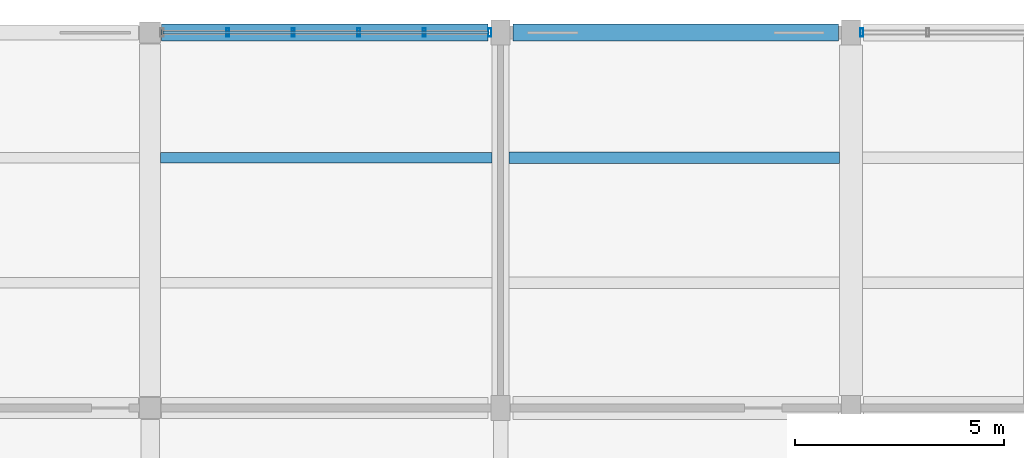
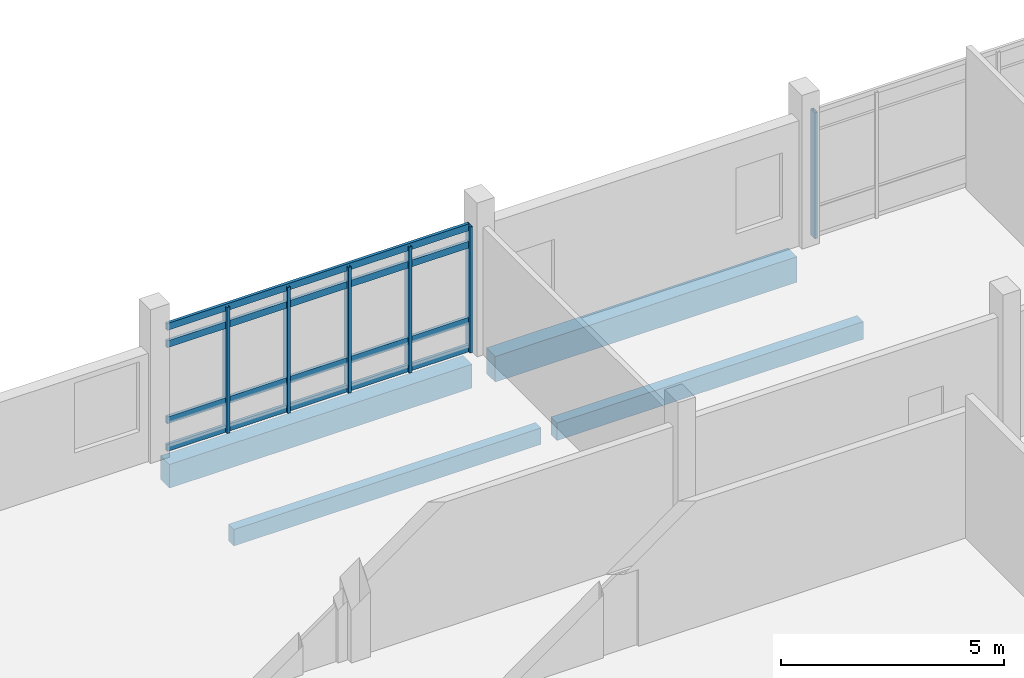
# One storey, part 59 of 107: 10 members, 4 beams, 2 elements without a shape of their own.
"""IFC4 building model written with IfcOpenShell, lengths in metres."""

from ifc_helpers import new_model, si_unit, direction, frame, origin, origin_2d, place, context, subcontext, project, spatial, rectangle, hollow_rectangle, extrude, material, layer, layer_set, material_profile, profile_set, type_object, element, aggregate, save


model = new_model("IFC4")

# Units and contexts
model_context = context("Model", 3, precision=1e-05, world=origin(), true_north=direction((0.0, 1.0)))
body_context = subcontext(model_context, "Body", "Model", "MODEL_VIEW")
ifc_project = project(units=[si_unit("LENGTHUNIT", "METRE"), si_unit("AREAUNIT", "SQUARE_METRE"), si_unit("VOLUMEUNIT", "CUBIC_METRE"), si_unit("PLANEANGLEUNIT", "RADIAN"), si_unit("MASSUNIT", "GRAM", prefix="KILO")], contexts=[model_context])

# Site, building, storey
site_placement = place(None, origin())
site = spatial("IfcSite", under=ifc_project, at=site_placement, CompositionType="ELEMENT")
building_placement = place(site_placement, origin())
building = spatial("IfcBuilding", under=site, at=building_placement, Name="Vireocrest Preparatory School", CompositionType="ELEMENT")
storey_placement = place(building_placement, frame((0.0, 0.0, 13.199951171875)))
storey = spatial("IfcBuildingStorey", under=building, at=storey_placement, Name="L03", CompositionType="ELEMENT", Elevation=13.199951171875)

# Curtain wall, members
ifc_material_1 = material(Name="Thermally broken aluminium EN AW-6063-T6", Category="aluminium")
ifc_layer = layer(ifc_material_1, 0.179931640625)
ifc_layer_set = layer_set([ifc_layer], Name="Thermally broken aluminium EN AW-6063-T6")
curtain_wall_type = type_object("IfcCurtainWallType", Name="North Street Curtain Wall 8400x4000", PredefinedType="USERDEFINED", material=ifc_layer_set)
curtain_wall_1_placement = place(storey_placement, origin())
curtain_wall_1 = element("IfcCurtainWall", 1, at=curtain_wall_1_placement, inside=storey, type_object=curtain_wall_type, Name="Curtain Wall CW05 CW_L03_CW05_0842_1128_132", ObjectType="CURTAIN WALL", PredefinedType="USERDEFINED")
ifc_material_profile_1 = material_profile(ifc_material_1, hollow_rectangle(XDim=0.074951171875, YDim=0.199951171875, WallThickness=0.0048828125, at=origin_2d()), Name="ALU 75x200x5")
ifc_profile_set_1 = profile_set([ifc_material_profile_1], Name="Thermally broken aluminium EN AW-6063-T6")
member_type_1 = type_object("IfcMemberType", Name="CW Mullion 75x200x5", PredefinedType="MULLION", material=ifc_profile_set_1)
member_1_placement = place(storey_placement, frame((85.85595703125, 112.800048828125, 0.0), z_axis=(0.0, 0.0, 1.0), x_axis=(1.0, 0.0, 0.0)))
member_1 = element("IfcMember", 2, at=member_1_placement, type_object=member_type_1, Name="CW Mullion ML3 CW_L03_CW05_0842_1128_132-2", PredefinedType="MULLION", context=body_context, shape_type="SweptSolid", body=[
    extrude(hollow_rectangle(XDim=0.074951171875, YDim=0.199951171875, WallThickness=0.0048828125, at=origin_2d()), origin(), (0.0, 0.0, 1.0), 3.445068359375),
])
member_2_placement = place(storey_placement, frame((87.427001953125, 112.800048828125, 0.0), z_axis=(0.0, 0.0, 1.0), x_axis=(1.0, 0.0, 0.0)))
member_2 = element("IfcMember", 3, at=member_2_placement, type_object=member_type_1, Name="CW Mullion ML3 CW_L03_CW05_0842_1128_132-3", PredefinedType="MULLION", context=body_context, shape_type="SweptSolid", body=[
    extrude(hollow_rectangle(XDim=0.074951171875, YDim=0.199951171875, WallThickness=0.0048828125, at=origin_2d()), origin(), (0.0, 0.0, 1.0), 3.445068359375),
])
member_3_placement = place(storey_placement, frame((88.998046875, 112.800048828125, 0.0), z_axis=(0.0, 0.0, 1.0), x_axis=(1.0, 0.0, 0.0)))
member_3 = element("IfcMember", 4, at=member_3_placement, type_object=member_type_1, Name="CW Mullion ML3 CW_L03_CW05_0842_1128_132-4", PredefinedType="MULLION", context=body_context, shape_type="SweptSolid", body=[
    extrude(hollow_rectangle(XDim=0.074951171875, YDim=0.199951171875, WallThickness=0.0048828125, at=origin_2d()), origin(), (0.0, 0.0, 1.0), 3.445068359375),
])
member_4_placement = place(storey_placement, frame((90.569091796875, 112.800048828125, 0.0), z_axis=(0.0, 0.0, 1.0), x_axis=(1.0, 0.0, 0.0)))
member_4 = element("IfcMember", 5, at=member_4_placement, type_object=member_type_1, Name="CW Mullion ML3 CW_L03_CW05_0842_1128_132-5", PredefinedType="MULLION", context=body_context, shape_type="SweptSolid", body=[
    extrude(hollow_rectangle(XDim=0.074951171875, YDim=0.199951171875, WallThickness=0.0048828125, at=origin_2d()), origin(), (0.0, 0.0, 1.0), 3.445068359375),
])
member_5_placement = place(storey_placement, frame((92.139892578125, 112.800048828125, 0.0), z_axis=(0.0, 0.0, 1.0), x_axis=(1.0, 0.0, 0.0)))
member_5 = element("IfcMember", 6, at=member_5_placement, type_object=member_type_1, Name="CW Mullion ML3 CW_L03_CW05_0842_1128_132-6", PredefinedType="MULLION", context=body_context, shape_type="SweptSolid", body=[
    extrude(hollow_rectangle(XDim=0.074951171875, YDim=0.199951171875, WallThickness=0.0048828125, at=origin_2d()), origin(), (0.0, 0.0, 1.0), 3.445068359375),
])

# Curtain wall, member
curtain_wall_2_placement = place(storey_placement, origin())
curtain_wall_2 = element("IfcCurtainWall", 7, at=curtain_wall_2_placement, inside=storey, type_object=curtain_wall_type, Name="Curtain Wall CW05 CW_L03_CW05_1010_1128_132", ObjectType="CURTAIN WALL", PredefinedType="USERDEFINED")
member_6_placement = place(storey_placement, frame((101.06005859375, 112.800048828125, 0.0), z_axis=(0.0, 0.0, 1.0), x_axis=(1.0, 0.0, 0.0)))
member_6 = element("IfcMember", 8, at=member_6_placement, type_object=member_type_1, Name="CW Mullion ML3 CW_L03_CW05_1010_1128_132-1", PredefinedType="MULLION", context=body_context, shape_type="SweptSolid", body=[
    extrude(hollow_rectangle(XDim=0.074951171875, YDim=0.199951171875, WallThickness=0.0048828125, at=origin_2d()), origin(), (0.0, 0.0, 1.0), 3.445068359375),
])
aggregate(curtain_wall_2, [member_6])

# Member
ifc_material_profile_2 = material_profile(ifc_material_1, hollow_rectangle(XDim=0.074951171875, YDim=0.18994140625, WallThickness=0.00390625, at=origin_2d()), Name="ALU 75x190x4")
ifc_profile_set_2 = profile_set([ifc_material_profile_2], Name="Thermally broken aluminium EN AW-6063-T6")
member_type_2 = type_object("IfcMemberType", Name="CW Transom 75x190x4", PredefinedType="USERDEFINED", material=ifc_profile_set_2)
member_7_placement = place(storey_placement, frame((84.31005859375, 112.800048828125, 0.094970703125), z_axis=(1.0, 0.0, 0.0), x_axis=(0.0, 1.0, 0.0)))
member_7 = element("IfcMember", 9, at=member_7_placement, type_object=member_type_2, Name="CW Transom TR3 CW_L03_CW05_0842_1128_132-1", ObjectType="TRANSOM", PredefinedType="USERDEFINED", context=body_context, shape_type="SweptSolid", body=[
    extrude(hollow_rectangle(XDim=0.074951171875, YDim=0.18994140625, WallThickness=0.00390625, at=origin_2d()), origin(), (0.0, 0.0, 1.0), 7.804931640625),
])

member_8_placement = place(storey_placement, frame((84.31005859375, 112.800048828125, 0.85009765625), z_axis=(1.0, 0.0, 0.0), x_axis=(0.0, 1.0, 0.0)))
member_8 = element("IfcMember", 10, at=member_8_placement, type_object=member_type_2, Name="CW Transom TR3 CW_L03_CW05_0842_1128_132-2", ObjectType="TRANSOM", PredefinedType="USERDEFINED", context=body_context, shape_type="SweptSolid", body=[
    extrude(hollow_rectangle(XDim=0.074951171875, YDim=0.18994140625, WallThickness=0.00390625, at=origin_2d()), origin(), (0.0, 0.0, 1.0), 7.804931640625),
])

member_9_placement = place(storey_placement, frame((84.31005859375, 112.800048828125, 2.929931640625), z_axis=(1.0, 0.0, 0.0), x_axis=(0.0, 1.0, 0.0)))
member_9 = element("IfcMember", 11, at=member_9_placement, type_object=member_type_2, Name="CW Transom TR3 CW_L03_CW05_0842_1128_132-3", ObjectType="TRANSOM", PredefinedType="USERDEFINED", context=body_context, shape_type="SweptSolid", body=[
    extrude(hollow_rectangle(XDim=0.074951171875, YDim=0.18994140625, WallThickness=0.00390625, at=origin_2d()), origin(), (0.0, 0.0, 1.0), 7.804931640625),
])

member_10_placement = place(storey_placement, frame((84.31005859375, 112.800048828125, 3.405029296875), z_axis=(1.0, 0.0, 0.0), x_axis=(0.0, 1.0, 0.0)))
member_10 = element("IfcMember", 12, at=member_10_placement, type_object=member_type_2, Name="CW Transom TR3 CW_L03_CW05_0842_1128_132-4", ObjectType="TRANSOM", PredefinedType="USERDEFINED", context=body_context, shape_type="SweptSolid", body=[
    extrude(hollow_rectangle(XDim=0.074951171875, YDim=0.18994140625, WallThickness=0.00390625, at=origin_2d()), origin(), (0.0, 0.0, 1.0), 7.804931640625),
])

aggregate(curtain_wall_1, [member_1, member_2, member_3, member_4, member_5, member_7, member_8, member_9, member_10])

# Beams
ifc_material_2 = material(Name="Concrete 40 MPa", Category="concrete")
ifc_material_profile_3 = material_profile(ifc_material_2, rectangle(XDim=0.39990234375, YDim=0.699951171875, at=origin_2d()), Name="RC 400x700")
ifc_profile_set_3 = profile_set([ifc_material_profile_3], Name="Concrete 40 MPa")
beam_type_1 = type_object("IfcBeamType", Name="RC Corridor Girder 400x700", PredefinedType="BEAM", material=ifc_profile_set_3)
beam_1_placement = place(storey_placement, frame((92.699951171875, 112.800048828125, -0.58984375), z_axis=(1.0, 0.0, 0.0), x_axis=(0.0, 1.0, 0.0)))
element("IfcBeam", 13, at=beam_1_placement, inside=storey, type_object=beam_type_1, Name="Primary Girder B08 L03-1104", PredefinedType="BEAM", context=body_context, shape_type="SweptSolid", body=[
    extrude(rectangle(XDim=0.39990234375, YDim=0.699951171875, at=origin_2d()), origin(), (0.0, 0.0, 1.0), 7.800048828125),
])
ifc_material_profile_4 = material_profile(ifc_material_2, rectangle(XDim=0.39990234375, YDim=0.64990234375, at=origin_2d()), Name="RC 400x650")
ifc_profile_set_4 = profile_set([ifc_material_profile_4], Name="Concrete 40 MPa")
beam_type_2 = type_object("IfcBeamType", Name="RC Laboratory Girder 400x650", PredefinedType="BEAM", material=ifc_profile_set_4)
beam_2_placement = place(storey_placement, frame((84.27490234375, 112.800048828125, -0.56494140625), z_axis=(1.0, 0.0, 0.0), x_axis=(0.0, 1.0, 0.0)))
element("IfcBeam", 14, at=beam_2_placement, inside=storey, type_object=beam_type_2, Name="Primary Girder B07 L03-1103", PredefinedType="BEAM", context=body_context, shape_type="SweptSolid", body=[
    extrude(rectangle(XDim=0.39990234375, YDim=0.64990234375, at=origin_2d()), origin(), (0.0, 0.0, 1.0), 7.8251953125),
])
ifc_material_profile_5 = material_profile(ifc_material_2, rectangle(XDim=0.25, YDim=0.449951171875, at=origin_2d()), Name="RC 250x450")
ifc_profile_set_5 = profile_set([ifc_material_profile_5], Name="Concrete 40 MPa")
beam_type_3 = type_object("IfcBeamType", Name="RC Secondary Floor Joist 250x450", PredefinedType="JOIST", material=ifc_profile_set_5)
beam_3_placement = place(storey_placement, frame((84.25, 109.800048828125, -0.46484375), z_axis=(1.0, 0.0, 0.0), x_axis=(0.0, 1.0, 0.0)))
element("IfcBeam", 15, at=beam_3_placement, inside=storey, type_object=beam_type_3, Name="Secondary Joist J01 L03-1236", PredefinedType="JOIST", context=body_context, shape_type="SweptSolid", body=[
    extrude(rectangle(XDim=0.25, YDim=0.449951171875, at=origin_2d()), origin(), (0.0, 0.0, 1.0), 7.949951171875),
])
ifc_material_profile_6 = material_profile(ifc_material_2, rectangle(XDim=0.280029296875, YDim=0.47998046875, at=origin_2d()), Name="RC 280x480")
ifc_profile_set_6 = profile_set([ifc_material_profile_6], Name="Concrete 40 MPa")
beam_type_4 = type_object("IfcBeamType", Name="RC Secondary Lab Joist 280x480", PredefinedType="JOIST", material=ifc_profile_set_6)
beam_4_placement = place(storey_placement, frame((92.60009765625, 109.800048828125, -0.47998046875), z_axis=(1.0, 0.0, 0.0), x_axis=(0.0, 1.0, 0.0)))
element("IfcBeam", 16, at=beam_4_placement, inside=storey, type_object=beam_type_4, Name="Secondary Joist J02 L03-1258", PredefinedType="JOIST", context=body_context, shape_type="SweptSolid", body=[
    extrude(rectangle(XDim=0.280029296875, YDim=0.47998046875, at=origin_2d()), origin(), (0.0, 0.0, 1.0), 7.9248046875),
])

save(model, "model.ifc")
